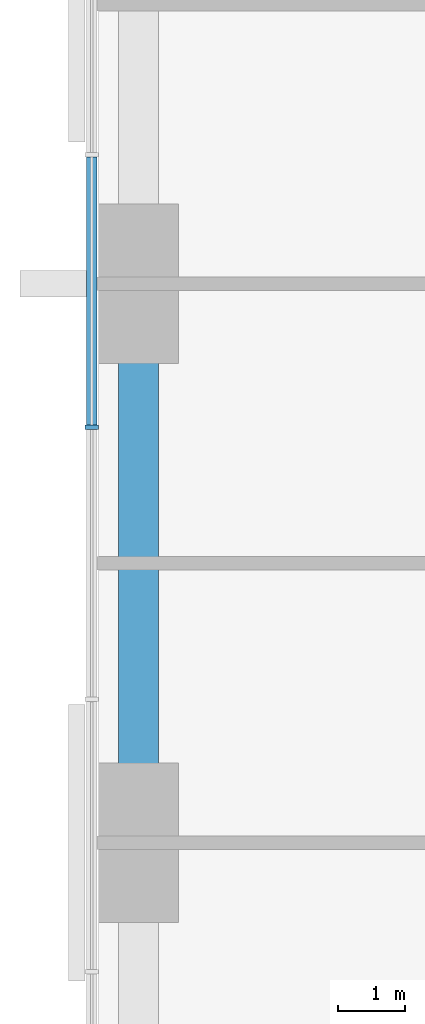
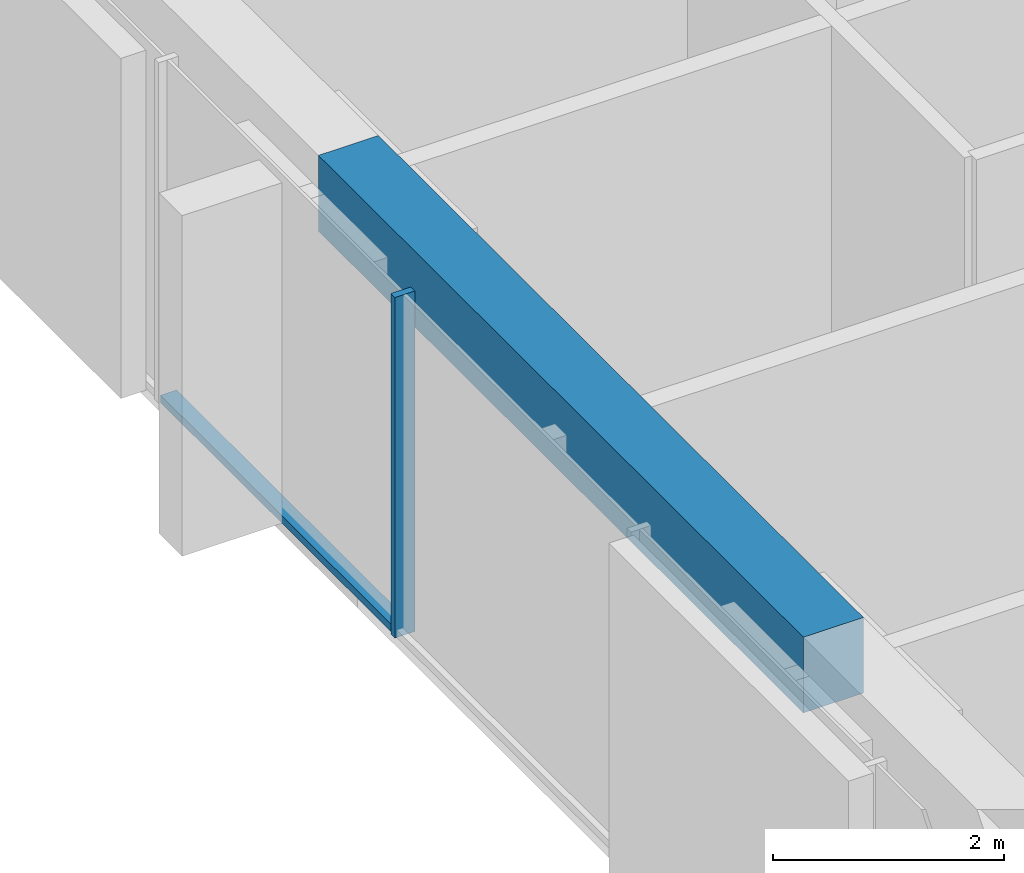
# One storey, part 3 of 13: 2 members, 1 beam, 1 element without a shape of its own.
"""IFC4 building model written with IfcOpenShell, lengths in metres."""

from ifc_helpers import new_model, si_unit, direction, frame, origin, origin_2d, place, context, subcontext, project, spatial, rectangle, extrude, material, material_profile, profile_set, type_object, element, aggregate, save


model = new_model("IFC4")

# Units and contexts
model_context = context("Model", 3, precision=1e-05, world=origin(), true_north=direction((0.0, 1.0)))
body_context = subcontext(model_context, "Body", "Model", "MODEL_VIEW")
ifc_project = project(units=[si_unit("LENGTHUNIT", "METRE"), si_unit("AREAUNIT", "SQUARE_METRE"), si_unit("VOLUMEUNIT", "CUBIC_METRE"), si_unit("PLANEANGLEUNIT", "RADIAN"), si_unit("MASSUNIT", "GRAM", prefix="KILO")], contexts=[model_context])

# Site, building, storey
site_placement = place(None, origin())
site = spatial("IfcSite", under=ifc_project, at=site_placement, CompositionType="ELEMENT")
building_placement = place(site_placement, origin())
building = spatial("IfcBuilding", under=site, at=building_placement, Name="Dunama Terrace Hotel", CompositionType="ELEMENT")
storey_placement = place(building_placement, frame((0.0, 0.0, 169.800048828125)))
storey = spatial("IfcBuildingStorey", under=building, at=storey_placement, Name="L43", CompositionType="ELEMENT", Elevation=169.800048828125)

# Curtain wall, members
ifc_material_1 = material(Name="Aluminium curtain wall system", Category="aluminium")
curtain_wall_type = type_object("IfcCurtainWallType", Name="Unitised fritted glass wall CW-C", PredefinedType="NOTDEFINED", material=ifc_material_1)
curtain_wall_placement = place(storey_placement, origin())
curtain_wall = element("IfcCurtainWall", 1, at=curtain_wall_placement, inside=storey, type_object=curtain_wall_type, Name="Unitised fritted glass wall CW-C L43", PredefinedType="NOTDEFINED")
ifc_material_2 = material(Name="Aluminium mullion", Category="aluminium")
ifc_material_profile_1 = material_profile(ifc_material_2, rectangle(XDim=0.070068359375, YDim=0.199951171875, at=origin_2d()), Name="CWC MULLION 70X200")
ifc_profile_set_1 = profile_set([ifc_material_profile_1], Name="Aluminium mullion")
member_type_1 = type_object("IfcMemberType", Name="CWC mullion 70x200", PredefinedType="MULLION", material=ifc_profile_set_1)
member_1_placement = place(storey_placement, frame((4.10009765625, 31.445068359375, 0.0), z_axis=(0.0, 0.0, 1.0), x_axis=(0.0, -1.0, 0.0)))
member_1 = element("IfcMember", 2, at=member_1_placement, type_object=member_type_1, Name="CWC mullion", PredefinedType="MULLION", context=body_context, shape_type="SweptSolid", body=[
    extrude(rectangle(XDim=0.070068359375, YDim=0.199951171875, at=origin_2d()), origin(), (0.0, 0.0, 1.0), 3.599853515625),
])
ifc_material_3 = material(Name="Aluminium transom", Category="aluminium")
ifc_material_profile_2 = material_profile(ifc_material_3, rectangle(XDim=0.159912109375, YDim=0.080078125, at=origin_2d()), Name="CWC TRANSOM 160X80")
ifc_profile_set_2 = profile_set([ifc_material_profile_2], Name="Aluminium transom")
member_type_2 = type_object("IfcMemberType", Name="CWC transom 160x80", PredefinedType="USERDEFINED", material=ifc_profile_set_2)
member_2_placement = place(storey_placement, frame((4.10009765625, 35.5009765625, 0.0400390625), z_axis=(0.0, -1.0, 0.0), x_axis=(1.0, 0.0, 0.0)))
member_2 = element("IfcMember", 3, at=member_2_placement, type_object=member_type_2, Name="CWC transom", ObjectType="TRANSOM", PredefinedType="USERDEFINED", context=body_context, shape_type="SweptSolid", body=[
    extrude(rectangle(XDim=0.159912109375, YDim=0.080078125, at=origin_2d()), origin(), (0.0, 0.0, 1.0), 4.02099609375),
])
aggregate(curtain_wall, [member_1, member_2])

# Beam
ifc_material_4 = material(Name="Concrete C40/50", Category="concrete")
ifc_material_profile_3 = material_profile(ifc_material_4, rectangle(XDim=0.60009765625, YDim=0.800048828125, at=origin_2d()), Name="RC 600x800")
ifc_profile_set_3 = profile_set([ifc_material_profile_3], Name="Concrete C40/50")
beam_type = type_object("IfcBeamType", Name="Edge beam RC 600x800", PredefinedType="SPANDREL", material=ifc_profile_set_3)
beam_placement = place(storey_placement, frame((4.800048828125, 25.199951171875, 3.199951171875), z_axis=(0.0, 1.0, 0.0), x_axis=(-1.0, 0.0, 0.0)))
element("IfcBeam", 4, at=beam_placement, inside=storey, type_object=beam_type, Name="Edge beam under L44", PredefinedType="SPANDREL", context=body_context, shape_type="SweptSolid", body=[
    extrude(rectangle(XDim=0.60009765625, YDim=0.800048828125, at=origin_2d()), origin(), (0.0, 0.0, 1.0), 8.400146484375),
])

save(model, "model.ifc")
